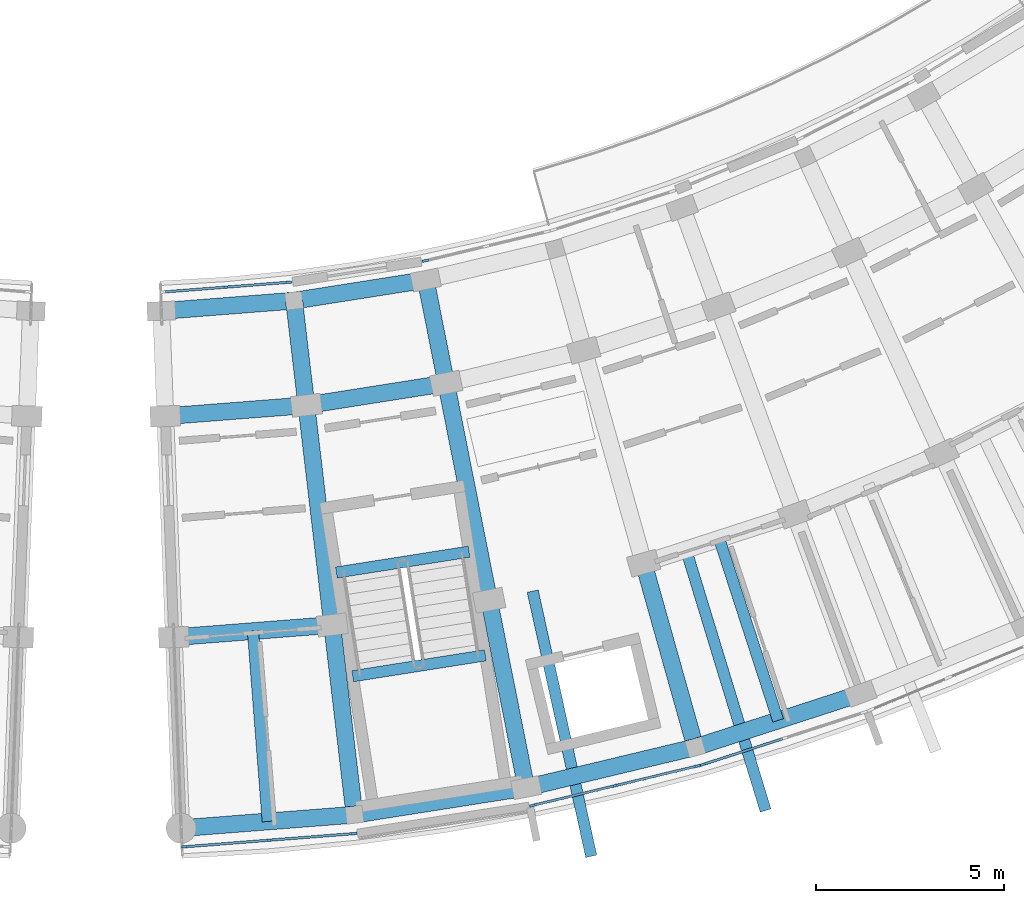
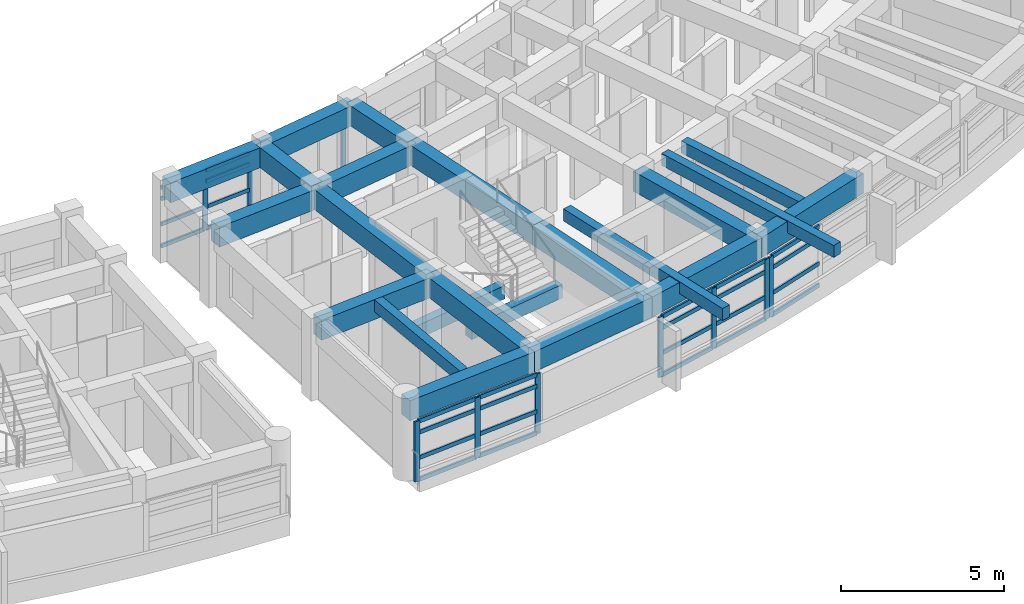
# One storey, part 16 of 56: 38 members, 22 beams, 5 elements without a shape of their own.
"""IFC4 building model written with IfcOpenShell, lengths in metres."""

from ifc_helpers import new_model, si_unit, direction, frame, origin, origin_2d, place, context, subcontext, project, spatial, rectangle, extrude, material, material_profile, profile_set, type_object, element, aggregate, save


model = new_model("IFC4")

# Units and contexts
model_context = context("Model", 3, precision=1e-05, world=origin(), true_north=direction((0.0, 1.0)))
body_context = subcontext(model_context, "Body", "Model", "MODEL_VIEW")
ifc_project = project(units=[si_unit("LENGTHUNIT", "METRE"), si_unit("AREAUNIT", "SQUARE_METRE"), si_unit("VOLUMEUNIT", "CUBIC_METRE"), si_unit("PLANEANGLEUNIT", "RADIAN"), si_unit("MASSUNIT", "GRAM", prefix="KILO")], contexts=[model_context])

# Site, building, storey
site_placement = place(None, origin())
site = spatial("IfcSite", under=ifc_project, at=site_placement, CompositionType="ELEMENT")
building_placement = place(site_placement, origin())
building = spatial("IfcBuilding", under=site, at=building_placement, Name="Zimvara Arc Housing Community", CompositionType="ELEMENT")
storey_placement = place(building_placement, frame((0.0, 0.0, 11.199951171875)))
storey = spatial("IfcBuildingStorey", under=building, at=storey_placement, Name="L03", CompositionType="ELEMENT", Elevation=11.199951171875)

# Beams
ifc_material_1 = material(Name="Concrete C40/50", Category="concrete")
ifc_material_profile_1 = material_profile(ifc_material_1, rectangle(XDim=0.300048828125, YDim=0.449951171875, at=origin_2d()), Name="RC 300x450")
ifc_profile_set_1 = profile_set([ifc_material_profile_1], Name="Concrete C40/50")
beam_type_1 = type_object("IfcBeamType", Name="BM-RC-300x450", PredefinedType="JOIST", material=ifc_profile_set_1)
beam_1_placement = place(storey_placement, frame((130.151123046875, 56.263427734375, 2.635009765625), z_axis=(0.077579175615, -0.996986194243, 0.0), x_axis=(0.996986194243, 0.077579175615, 0.0)))
element("IfcBeam", 1, at=beam_1_placement, inside=storey, type_object=beam_type_1, Name="bm:blkD:L03:joist:b0", PredefinedType="JOIST", context=body_context, shape_type="SweptSolid", body=[
    extrude(rectangle(XDim=0.300048828125, YDim=0.449951171875, at=origin_2d()), origin(), (0.0, 0.0, 1.0), 5.076171875),
])
beam_2_placement = place(storey_placement, frame((142.547607421875, 58.718017578125, 2.635009765625), z_axis=(0.308208278328, -0.951318904033, 0.0), x_axis=(0.951318904033, 0.308208278328, 0.0)))
element("IfcBeam", 2, at=beam_2_placement, inside=storey, type_object=beam_type_1, Name="bm:blkD:L03:joist:b3", PredefinedType="JOIST", context=body_context, shape_type="SweptSolid", body=[
    extrude(rectangle(XDim=0.300048828125, YDim=0.449951171875, at=origin_2d()), origin(), (0.0, 0.0, 1.0), 5.075927734375),
])
for number, where, z_axis, x_axis, name in (
    (3, (137.587890625, 57.3271484375, 2.6650390625), (0.215734466533, -0.97645206741, 0.0), (0.97645206741, 0.215734466533, 0.0), "bm:blkD:L03:cant_out:b2"),
    (4, (141.673583984375, 58.39990234375, 2.6650390625), (0.29171593415, -0.95650499934, 0.0), (0.95650499934, 0.29171593415, 0.0), "bm:blkD:L03:cant_out:b3"),
):
    element("IfcBeam", number, at=place(storey_placement, frame(where, z_axis=z_axis, x_axis=x_axis)), inside=storey, type_object=beam_type_1, Name=name, PredefinedType="JOIST", context=body_context, shape_type="SweptSolid", body=[
        extrude(rectangle(XDim=0.300048828125, YDim=0.449951171875, at=origin_2d()), origin(), (0.0, 0.0, 1.0), 7.219970703125),
    ])
ifc_material_2 = material(Name="Concrete C40/50", Category="concrete")
ifc_material_profile_2 = material_profile(ifc_material_2, rectangle(XDim=0.300048828125, YDim=0.5, at=origin_2d()), Name="RC 300x500")
ifc_profile_set_2 = profile_set([ifc_material_profile_2], Name="Concrete C40/50")
beam_type_2 = type_object("IfcBeamType", Name="BM-RC-300x500", PredefinedType="BEAM", material=ifc_profile_set_2)
for number, where, z_axis, x_axis, name in (
    (5, (132.36865234375, 57.8203125, -0.25), (0.987823881982, 0.155576277709, 0.0), (-0.155576277709, 0.987823881982, 0.0), "bm:stair_trim:ST-D1:L03:near"),
    (6, (132.802734375, 55.064208984375, 1.300048828125), (0.987823881982, 0.155576277709, 0.0), (-0.155576277709, 0.987823881982, 0.0), "bm:stair_trim:ST-D1:L03:mid"),
):
    element("IfcBeam", number, at=place(storey_placement, frame(where, z_axis=z_axis, x_axis=x_axis)), inside=storey, type_object=beam_type_2, Name=name, PredefinedType="BEAM", context=body_context, shape_type="SweptSolid", body=[
        extrude(rectangle(XDim=0.300048828125, YDim=0.5, at=origin_2d()), origin(), (0.0, 0.0, 1.0), 3.570068359375),
    ])
ifc_material_3 = material(Name="Concrete C40/50", Category="concrete")
ifc_material_profile_3 = material_profile(ifc_material_3, rectangle(XDim=0.449951171875, YDim=0.75, at=origin_2d()), Name="RC 450x750")
ifc_profile_set_3 = profile_set([ifc_material_profile_3], Name="Concrete C40/50")
beam_type_3 = type_object("IfcBeamType", Name="BM-RC-450x750", PredefinedType="BEAM", material=ifc_profile_set_3)
beam_3_placement = place(storey_placement, frame((127.712158203125, 64.773193359375, 2.485107421875), z_axis=(0.996984758472, 0.077597624804, 0.0), x_axis=(-0.077597624804, 0.996984758472, 0.0)))
element("IfcBeam", 7, at=beam_3_placement, inside=storey, type_object=beam_type_3, Name="bm:blkD:L03:chord:r0:b0", PredefinedType="BEAM", context=body_context, shape_type="SweptSolid", body=[
    extrude(rectangle(XDim=0.449951171875, YDim=0.75, at=origin_2d()), origin(), (0.0, 0.0, 1.0), 3.542724609375),
])
beam_4_placement = place(storey_placement, frame((131.244140625, 65.048095703125, 2.485107421875), z_axis=(0.98782044699, 0.155598086453, 0.0), x_axis=(-0.155598086453, 0.98782044699, 0.0)))
element("IfcBeam", 8, at=beam_4_placement, inside=storey, type_object=beam_type_3, Name="bm:blkD:L03:chord:r0:b1", PredefinedType="BEAM", context=body_context, shape_type="SweptSolid", body=[
    extrude(rectangle(XDim=0.449951171875, YDim=0.75, at=origin_2d()), origin(), (0.0, 0.0, 1.0), 3.54296875),
])
beam_5_placement = place(storey_placement, frame((127.819580078125, 61.975341796875, 2.485107421875), z_axis=(0.996984223393, 0.077604499263, 0.0), x_axis=(-0.077604499263, 0.996984223393, 0.0)))
element("IfcBeam", 9, at=beam_5_placement, inside=storey, type_object=beam_type_3, Name="bm:blkD:L03:chord:r1:b0", PredefinedType="BEAM", context=body_context, shape_type="SweptSolid", body=[
    extrude(rectangle(XDim=0.449951171875, YDim=0.75, at=origin_2d()), origin(), (0.0, 0.0, 1.0), 3.762451171875),
])
beam_6_placement = place(storey_placement, frame((131.57080078125, 62.267333984375, 2.485107421875), z_axis=(0.987830739488, 0.155532730068, 0.0), x_axis=(-0.155532730068, 0.987830739488, 0.0)))
element("IfcBeam", 10, at=beam_6_placement, inside=storey, type_object=beam_type_3, Name="bm:blkD:L03:chord:r1:b1", PredefinedType="BEAM", context=body_context, shape_type="SweptSolid", body=[
    extrude(rectangle(XDim=0.449951171875, YDim=0.75, at=origin_2d()), origin(), (0.0, 0.0, 1.0), 3.7626953125),
])
beam_7_placement = place(storey_placement, frame((128.045166015625, 56.099609375, 2.485107421875), z_axis=(0.996983350574, 0.077615711543, 0.0), x_axis=(-0.077615711543, 0.996983350574, 0.0)))
element("IfcBeam", 11, at=beam_7_placement, inside=storey, type_object=beam_type_3, Name="bm:blkD:L03:chord:r2:b0", PredefinedType="BEAM", context=body_context, shape_type="SweptSolid", body=[
    extrude(rectangle(XDim=0.449951171875, YDim=0.75, at=origin_2d()), origin(), (0.0, 0.0, 1.0), 4.224365234375),
])
for number, where, z_axis, x_axis, name in (
    (12, (128.240234375, 51.0234375, 2.485107421875), (0.996986694494, 0.077572746515, 0.0), (-0.077572746515, 0.996986694494, 0.0), "bm:blkD:L03:chord:r3:b0"),
    (13, (132.849609375, 51.382080078125, 2.485107421875), (0.987824544931, 0.155572068287, 0.0), (-0.155572068287, 0.987824544931, 0.0), "bm:blkD:L03:chord:r3:b1"),
):
    element("IfcBeam", number, at=place(storey_placement, frame(where, z_axis=z_axis, x_axis=x_axis)), inside=storey, type_object=beam_type_3, Name=name, PredefinedType="BEAM", context=body_context, shape_type="SweptSolid", body=[
        extrude(rectangle(XDim=0.449951171875, YDim=0.75, at=origin_2d()), origin(), (0.0, 0.0, 1.0), 4.623291015625),
    ])
beam_8_placement = place(storey_placement, frame((137.41650390625, 52.101318359375, 2.485107421875), z_axis=(0.972567724572, 0.232619906974, 0.0), x_axis=(-0.232619906974, 0.972567724572, 0.0)))
element("IfcBeam", 14, at=beam_8_placement, inside=storey, type_object=beam_type_3, Name="bm:blkD:L03:chord:r3:b2", PredefinedType="BEAM", context=body_context, shape_type="SweptSolid", body=[
    extrude(rectangle(XDim=0.449951171875, YDim=0.75, at=origin_2d()), origin(), (0.0, 0.0, 1.0), 4.623046875),
])
beam_9_placement = place(storey_placement, frame((141.912841796875, 53.1767578125, 2.485107421875), z_axis=(0.951331650007, 0.308168933695, 0.0), x_axis=(-0.308168933695, 0.951331650007, 0.0)))
element("IfcBeam", 15, at=beam_9_placement, inside=storey, type_object=beam_type_3, Name="bm:blkD:L03:chord:r3:b3", PredefinedType="BEAM", context=body_context, shape_type="SweptSolid", body=[
    extrude(rectangle(XDim=0.449951171875, YDim=0.75, at=origin_2d()), origin(), (0.0, 0.0, 1.0), 4.62353515625),
])
beam_10_placement = place(storey_placement, frame((131.244140625, 65.048095703125, 2.485107421875), z_axis=(0.116669233141, -0.993170826212, 0.0), x_axis=(0.993170826212, 0.116669233141, 0.0)))
element("IfcBeam", 16, at=beam_10_placement, inside=storey, type_object=beam_type_3, Name="bm:blkD:L03:rad:b1:r01", PredefinedType="BEAM", context=body_context, shape_type="SweptSolid", body=[
    extrude(rectangle(XDim=0.449951171875, YDim=0.75, at=origin_2d()), origin(), (0.0, 0.0, 1.0), 2.7998046875),
])
beam_11_placement = place(storey_placement, frame((131.57080078125, 62.267333984375, 2.485107421875), z_axis=(0.116672613124, -0.993170429154, 0.0), x_axis=(0.993170429154, 0.116672613124, 0.0)))
element("IfcBeam", 17, at=beam_11_placement, inside=storey, type_object=beam_type_3, Name="bm:blkD:L03:rad:b1:r12", PredefinedType="BEAM", context=body_context, shape_type="SweptSolid", body=[
    extrude(rectangle(XDim=0.449951171875, YDim=0.75, at=origin_2d()), origin(), (0.0, 0.0, 1.0), 5.8798828125),
])
beam_12_placement = place(storey_placement, frame((132.2568359375, 56.427490234375, 2.485107421875), z_axis=(0.116685098261, -0.993168962384, 0.0), x_axis=(0.993168962384, 0.116685098261, 0.0)))
element("IfcBeam", 18, at=beam_12_placement, inside=storey, type_object=beam_type_3, Name="bm:blkD:L03:rad:b1:r23", PredefinedType="BEAM", context=body_context, shape_type="SweptSolid", body=[
    extrude(rectangle(XDim=0.449951171875, YDim=0.75, at=origin_2d()), origin(), (0.0, 0.0, 1.0), 5.080078125),
])
beam_13_placement = place(storey_placement, frame((134.743896484375, 65.599365234375, 2.485107421875), z_axis=(0.194170755423, -0.980967745514, 0.0), x_axis=(0.980967745514, 0.194170755423, 0.0)))
element("IfcBeam", 19, at=beam_13_placement, inside=storey, type_object=beam_type_3, Name="bm:blkD:L03:rad:b2:r01", PredefinedType="BEAM", context=body_context, shape_type="SweptSolid", body=[
    extrude(rectangle(XDim=0.449951171875, YDim=0.75, at=origin_2d()), origin(), (0.0, 0.0, 1.0), 2.800048828125),
])
beam_14_placement = place(storey_placement, frame((135.28759765625, 62.8525390625, 2.485107421875), z_axis=(0.194239306935, -0.980954174078, 0.0), x_axis=(0.980954174078, 0.194239306935, 0.0)))
element("IfcBeam", 20, at=beam_14_placement, inside=storey, type_object=beam_type_3, Name="bm:blkD:L03:rad:b2:r12", PredefinedType="BEAM", context=body_context, shape_type="SweptSolid", body=[
    extrude(rectangle(XDim=0.449951171875, YDim=0.75, at=origin_2d()), origin(), (0.0, 0.0, 1.0), 5.8798828125),
])
beam_15_placement = place(storey_placement, frame((136.4296875, 57.084716796875, 2.485107421875), z_axis=(0.194248925774, -0.980952269397, 0.0), x_axis=(0.980952269397, 0.194248925774, 0.0)))
element("IfcBeam", 21, at=beam_15_placement, inside=storey, type_object=beam_type_3, Name="bm:blkD:L03:rad:b2:r23", PredefinedType="BEAM", context=body_context, shape_type="SweptSolid", body=[
    extrude(rectangle(XDim=0.449951171875, YDim=0.75, at=origin_2d()), origin(), (0.0, 0.0, 1.0), 5.080078125),
])
beam_16_placement = place(storey_placement, frame((140.538330078125, 58.067138671875, 2.485107421875), z_axis=(0.270579949442, -0.962697507507, 0.0), x_axis=(0.962697507507, 0.270579949442, 0.0)))
element("IfcBeam", 22, at=beam_16_placement, inside=storey, type_object=beam_type_3, Name="bm:blkD:L03:rad:b3:r23", PredefinedType="BEAM", context=body_context, shape_type="SweptSolid", body=[
    extrude(rectangle(XDim=0.449951171875, YDim=0.75, at=origin_2d()), origin(), (0.0, 0.0, 1.0), 5.079833984375),
])

# Curtain wall, members
ifc_material_4 = material(Name="Anodised Aluminium AW-6063", Category="aluminium")
curtain_wall_type_1 = type_object("IfcCurtainWallType", Name="CW-SYS-04", PredefinedType="USERDEFINED", material=ifc_material_4)
curtain_wall_1_placement = place(storey_placement, origin())
curtain_wall_1 = element("IfcCurtainWall", 23, at=curtain_wall_1_placement, inside=storey, type_object=curtain_wall_type_1, Name="cw:blkD:L03:in:b0", ObjectType="CURTAIN WALL", PredefinedType="USERDEFINED")
ifc_material_5 = material(Name="Anodised Aluminium AW-6063", Category="aluminium")
ifc_material_profile_4 = material_profile(ifc_material_5, rectangle(XDim=0.06494140625, YDim=0.179931640625, at=origin_2d()), Name="ALU 65x180")
ifc_profile_set_4 = profile_set([ifc_material_profile_4], Name="Anodised Aluminium AW-6063")
member_type_1 = type_object("IfcMemberType", Name="CWM-65x150", PredefinedType="MULLION", material=ifc_profile_set_4)
member_1_placement = place(storey_placement, frame((129.439453125, 65.40869140625, 0.0), z_axis=(0.0, 0.0, 1.0), x_axis=(-0.077590099579, 0.996985344149, 0.0)))
member_1 = element("IfcMember", 24, at=member_1_placement, type_object=member_type_1, Name="CW04 mullion 2", PredefinedType="MULLION", context=body_context, shape_type="SweptSolid", body=[
    extrude(rectangle(XDim=0.06494140625, YDim=0.179931640625, at=origin_2d()), origin(), (0.0, 0.0, 1.0), 2.25),
])
member_2_placement = place(storey_placement, frame((131.09375, 65.53759765625, 0.0), z_axis=(0.0, 0.0, 1.0), x_axis=(-0.077590099579, 0.996985344149, 0.0)))
member_2 = element("IfcMember", 25, at=member_2_placement, type_object=member_type_1, Name="CW04 mullion 3", PredefinedType="MULLION", context=body_context, shape_type="SweptSolid", body=[
    extrude(rectangle(XDim=0.06494140625, YDim=0.179931640625, at=origin_2d()), origin(), (0.0, 0.0, 1.0), 2.25),
])

# Curtain wall, member
ifc_material_6 = material(Name="Anodised Aluminium AW-6063", Category="aluminium")
curtain_wall_type_2 = type_object("IfcCurtainWallType", Name="CW-SYS-06", PredefinedType="USERDEFINED", material=ifc_material_6)
curtain_wall_2_placement = place(storey_placement, origin())
curtain_wall_2 = element("IfcCurtainWall", 26, at=curtain_wall_2_placement, inside=storey, type_object=curtain_wall_type_2, Name="cw:blkD:L03:in:b2", ObjectType="CURTAIN WALL", PredefinedType="USERDEFINED")
member_3_placement = place(storey_placement, frame((134.73681640625, 66.111328125, 0.0), z_axis=(0.0, 0.0, 1.0), x_axis=(-0.232596003485, 0.972573441526, 0.0)))
member_3 = element("IfcMember", 27, at=member_3_placement, type_object=member_type_1, Name="CW06 mullion 1", PredefinedType="MULLION", context=body_context, shape_type="SweptSolid", body=[
    extrude(rectangle(XDim=0.06494140625, YDim=0.179931640625, at=origin_2d()), origin(), (0.0, 0.0, 1.0), 2.25),
])
aggregate(curtain_wall_2, [member_3])

# Curtain wall, members
ifc_material_7 = material(Name="Anodised Aluminium AW-6063", Category="aluminium")
curtain_wall_type_3 = type_object("IfcCurtainWallType", Name="CW-SYS-03", PredefinedType="USERDEFINED", material=ifc_material_7)
curtain_wall_3_placement = place(storey_placement, origin())
curtain_wall_3 = element("IfcCurtainWall", 28, at=curtain_wall_3_placement, inside=storey, type_object=curtain_wall_type_3, Name="cw:blkD:L03:out:b0", ObjectType="CURTAIN WALL", PredefinedType="USERDEFINED")
ifc_material_8 = material(Name="Anodised Aluminium AW-6063", Category="aluminium")
ifc_material_profile_5 = material_profile(ifc_material_8, rectangle(XDim=0.06494140625, YDim=0.195068359375, at=origin_2d()), Name="ALU 65x195")
ifc_profile_set_5 = profile_set([ifc_material_profile_5], Name="Anodised Aluminium AW-6063")
member_type_2 = type_object("IfcMemberType", Name="CWM-65x180", PredefinedType="MULLION", material=ifc_profile_set_5)
member_4_placement = place(storey_placement, frame((128.351806640625, 50.531005859375, 0.0), z_axis=(0.0, 0.0, 1.0), x_axis=(-0.077589538059, 0.996985387849, 0.0)))
member_4 = element("IfcMember", 29, at=member_4_placement, type_object=member_type_2, Name="CW03 mullion 1", PredefinedType="MULLION", context=body_context, shape_type="SweptSolid", body=[
    extrude(rectangle(XDim=0.06494140625, YDim=0.195068359375, at=origin_2d()), origin(), (0.0, 0.0, 1.0), 2.25),
])
member_5_placement = place(storey_placement, frame((130.583740234375, 50.70458984375, 0.0), z_axis=(0.0, 0.0, 1.0), x_axis=(-0.077589538059, 0.996985387849, 0.0)))
member_5 = element("IfcMember", 30, at=member_5_placement, type_object=member_type_2, Name="CW03 mullion 2", PredefinedType="MULLION", context=body_context, shape_type="SweptSolid", body=[
    extrude(rectangle(XDim=0.06494140625, YDim=0.195068359375, at=origin_2d()), origin(), (0.0, 0.0, 1.0), 2.25),
])
member_6_placement = place(storey_placement, frame((132.815673828125, 50.87841796875, 0.0), z_axis=(0.0, 0.0, 1.0), x_axis=(-0.077589538059, 0.996985387849, 0.0)))
member_6 = element("IfcMember", 31, at=member_6_placement, type_object=member_type_2, Name="CW03 mullion 3", PredefinedType="MULLION", context=body_context, shape_type="SweptSolid", body=[
    extrude(rectangle(XDim=0.06494140625, YDim=0.195068359375, at=origin_2d()), origin(), (0.0, 0.0, 1.0), 2.25),
])

ifc_material_9 = material(Name="Anodised Aluminium AW-6063", Category="aluminium")
curtain_wall_type_4 = type_object("IfcCurtainWallType", Name="CW-SYS-05", PredefinedType="USERDEFINED", material=ifc_material_9)
curtain_wall_4_placement = place(storey_placement, origin())
curtain_wall_4 = element("IfcCurtainWall", 32, at=curtain_wall_4_placement, inside=storey, type_object=curtain_wall_type_4, Name="cw:blkD:L03:out:b2", ObjectType="CURTAIN WALL", PredefinedType="USERDEFINED")
member_7_placement = place(storey_placement, frame((137.603515625, 51.63232421875, 0.0), z_axis=(0.0, 0.0, 1.0), x_axis=(-0.232596798101, 0.97257325149, 0.0)))
member_7 = element("IfcMember", 33, at=member_7_placement, type_object=member_type_2, Name="CW05 mullion 1", PredefinedType="MULLION", context=body_context, shape_type="SweptSolid", body=[
    extrude(rectangle(XDim=0.06494140625, YDim=0.195068359375, at=origin_2d()), origin(), (0.0, 0.0, 1.0), 2.25),
])
member_8_placement = place(storey_placement, frame((139.781005859375, 52.153076171875, 0.0), z_axis=(0.0, 0.0, 1.0), x_axis=(-0.232596798101, 0.97257325149, 0.0)))
member_8 = element("IfcMember", 34, at=member_8_placement, type_object=member_type_2, Name="CW05 mullion 2", PredefinedType="MULLION", context=body_context, shape_type="SweptSolid", body=[
    extrude(rectangle(XDim=0.06494140625, YDim=0.195068359375, at=origin_2d()), origin(), (0.0, 0.0, 1.0), 2.25),
])
member_9_placement = place(storey_placement, frame((141.958251953125, 52.673828125, 0.0), z_axis=(0.0, 0.0, 1.0), x_axis=(-0.232596798101, 0.97257325149, 0.0)))
member_9 = element("IfcMember", 35, at=member_9_placement, type_object=member_type_2, Name="CW05 mullion 3", PredefinedType="MULLION", context=body_context, shape_type="SweptSolid", body=[
    extrude(rectangle(XDim=0.06494140625, YDim=0.195068359375, at=origin_2d()), origin(), (0.0, 0.0, 1.0), 2.25),
])

# Curtain wall, member
ifc_material_10 = material(Name="Anodised Aluminium AW-6063", Category="aluminium")
curtain_wall_type_5 = type_object("IfcCurtainWallType", Name="CW-SYS-07", PredefinedType="USERDEFINED", material=ifc_material_10)
curtain_wall_5_placement = place(storey_placement, origin())
curtain_wall_5 = element("IfcCurtainWall", 36, at=curtain_wall_5_placement, inside=storey, type_object=curtain_wall_type_5, Name="cw:blkD:L03:out:b3", ObjectType="CURTAIN WALL", PredefinedType="USERDEFINED")
member_10_placement = place(storey_placement, frame((142.13623046875, 52.723876953125, 0.0), z_axis=(0.0, 0.0, 1.0), x_axis=(-0.308184952203, 0.951326460914, 0.0)))
member_10 = element("IfcMember", 37, at=member_10_placement, type_object=member_type_2, Name="CW07 mullion 1", PredefinedType="MULLION", context=body_context, shape_type="SweptSolid", body=[
    extrude(rectangle(XDim=0.06494140625, YDim=0.195068359375, at=origin_2d()), origin(), (0.0, 0.0, 1.0), 2.25),
])

# Member
ifc_material_11 = material(Name="Anodised Aluminium AW-6063", Category="aluminium")
ifc_material_profile_6 = material_profile(ifc_material_11, rectangle(XDim=0.06494140625, YDim=0.139892578125, at=origin_2d()), Name="ALU 65x140")
ifc_profile_set_6 = profile_set([ifc_material_profile_6], Name="Anodised Aluminium AW-6063")
member_type_3 = type_object("IfcMemberType", Name="CWT-65x120", PredefinedType="USERDEFINED", material=ifc_profile_set_6)
member_11_placement = place(storey_placement, frame((127.8173828125, 65.282470703125, 0.032470703125), z_axis=(0.996981987707, 0.077633215753, 0.0), x_axis=(-0.077633215753, 0.996981987707, 0.0)))
member_11 = element("IfcMember", 38, at=member_11_placement, type_object=member_type_3, Name="CW04 transom 1.1", ObjectType="TRANSOM", PredefinedType="USERDEFINED", context=body_context, shape_type="SweptSolid", body=[
    extrude(rectangle(XDim=0.06494140625, YDim=0.139892578125, at=origin_2d()), origin(), (0.0, 0.0, 1.0), 1.594482421875),
])

member_12_placement = place(storey_placement, frame((127.8173828125, 65.282470703125, 0.85009765625), z_axis=(0.996981987707, 0.077633215753, 0.0), x_axis=(-0.077633215753, 0.996981987707, 0.0)))
member_12 = element("IfcMember", 39, at=member_12_placement, type_object=member_type_3, Name="CW04 transom 1.2", ObjectType="TRANSOM", PredefinedType="USERDEFINED", context=body_context, shape_type="SweptSolid", body=[
    extrude(rectangle(XDim=0.06494140625, YDim=0.139892578125, at=origin_2d()), origin(), (0.0, 0.0, 1.0), 1.594482421875),
])

member_13_placement = place(storey_placement, frame((127.8173828125, 65.282470703125, 1.800048828125), z_axis=(0.996981987707, 0.077633215753, 0.0), x_axis=(-0.077633215753, 0.996981987707, 0.0)))
member_13 = element("IfcMember", 40, at=member_13_placement, type_object=member_type_3, Name="CW04 transom 1.3", ObjectType="TRANSOM", PredefinedType="USERDEFINED", context=body_context, shape_type="SweptSolid", body=[
    extrude(rectangle(XDim=0.06494140625, YDim=0.139892578125, at=origin_2d()), origin(), (0.0, 0.0, 1.0), 1.594482421875),
])

member_14_placement = place(storey_placement, frame((127.8173828125, 65.282470703125, 2.217529296875), z_axis=(0.996981987707, 0.077633215753, 0.0), x_axis=(-0.077633215753, 0.996981987707, 0.0)))
member_14 = element("IfcMember", 41, at=member_14_placement, type_object=member_type_3, Name="CW04 transom 1.4", ObjectType="TRANSOM", PredefinedType="USERDEFINED", context=body_context, shape_type="SweptSolid", body=[
    extrude(rectangle(XDim=0.06494140625, YDim=0.139892578125, at=origin_2d()), origin(), (0.0, 0.0, 1.0), 1.594482421875),
])

member_15_placement = place(storey_placement, frame((129.4716796875, 65.411376953125, 0.032470703125), z_axis=(0.996993827762, 0.077481013185, 0.0), x_axis=(-0.077481013185, 0.996993827762, 0.0)))
member_15 = element("IfcMember", 42, at=member_15_placement, type_object=member_type_3, Name="CW04 transom 2.1", ObjectType="TRANSOM", PredefinedType="USERDEFINED", context=body_context, shape_type="SweptSolid", body=[
    extrude(rectangle(XDim=0.06494140625, YDim=0.139892578125, at=origin_2d()), origin(), (0.0, 0.0, 1.0), 1.594482421875),
])

member_16_placement = place(storey_placement, frame((129.4716796875, 65.411376953125, 0.85009765625), z_axis=(0.996993827762, 0.077481013185, 0.0), x_axis=(-0.077481013185, 0.996993827762, 0.0)))
member_16 = element("IfcMember", 43, at=member_16_placement, type_object=member_type_3, Name="CW04 transom 2.2", ObjectType="TRANSOM", PredefinedType="USERDEFINED", context=body_context, shape_type="SweptSolid", body=[
    extrude(rectangle(XDim=0.06494140625, YDim=0.139892578125, at=origin_2d()), origin(), (0.0, 0.0, 1.0), 1.594482421875),
])

member_17_placement = place(storey_placement, frame((129.4716796875, 65.411376953125, 1.800048828125), z_axis=(0.996993827762, 0.077481013185, 0.0), x_axis=(-0.077481013185, 0.996993827762, 0.0)))
member_17 = element("IfcMember", 44, at=member_17_placement, type_object=member_type_3, Name="CW04 transom 2.3", ObjectType="TRANSOM", PredefinedType="USERDEFINED", context=body_context, shape_type="SweptSolid", body=[
    extrude(rectangle(XDim=0.06494140625, YDim=0.139892578125, at=origin_2d()), origin(), (0.0, 0.0, 1.0), 1.594482421875),
])

member_18_placement = place(storey_placement, frame((129.4716796875, 65.411376953125, 2.217529296875), z_axis=(0.996993827762, 0.077481013185, 0.0), x_axis=(-0.077481013185, 0.996993827762, 0.0)))
member_18 = element("IfcMember", 45, at=member_18_placement, type_object=member_type_3, Name="CW04 transom 2.4", ObjectType="TRANSOM", PredefinedType="USERDEFINED", context=body_context, shape_type="SweptSolid", body=[
    extrude(rectangle(XDim=0.06494140625, YDim=0.139892578125, at=origin_2d()), origin(), (0.0, 0.0, 1.0), 1.594482421875),
])

aggregate(curtain_wall_1, [member_1, member_2, member_11, member_12, member_13, member_14, member_15, member_16, member_17, member_18])

ifc_material_12 = material(Name="Anodised Aluminium AW-6063", Category="aluminium")
ifc_material_profile_7 = material_profile(ifc_material_12, rectangle(XDim=0.06494140625, YDim=0.155029296875, at=origin_2d()), Name="ALU 65x155")
ifc_profile_set_7 = profile_set([ifc_material_profile_7], Name="Anodised Aluminium AW-6063")
member_type_4 = type_object("IfcMemberType", Name="CWT-65x140", PredefinedType="USERDEFINED", material=ifc_profile_set_7)
member_19_placement = place(storey_placement, frame((128.384033203125, 50.533447265625, 0.032470703125), z_axis=(0.99698404072, 0.077606846022, 0.0), x_axis=(-0.077606846022, 0.99698404072, 0.0)))
member_19 = element("IfcMember", 46, at=member_19_placement, type_object=member_type_4, Name="CW03 transom 1.1", ObjectType="TRANSOM", PredefinedType="USERDEFINED", context=body_context, shape_type="SweptSolid", body=[
    extrude(rectangle(XDim=0.06494140625, YDim=0.155029296875, at=origin_2d()), origin(), (0.0, 0.0, 1.0), 2.173828125),
])

member_20_placement = place(storey_placement, frame((128.384033203125, 50.533447265625, 0.85009765625), z_axis=(0.99698404072, 0.077606846022, 0.0), x_axis=(-0.077606846022, 0.99698404072, 0.0)))
member_20 = element("IfcMember", 47, at=member_20_placement, type_object=member_type_4, Name="CW03 transom 1.2", ObjectType="TRANSOM", PredefinedType="USERDEFINED", context=body_context, shape_type="SweptSolid", body=[
    extrude(rectangle(XDim=0.06494140625, YDim=0.155029296875, at=origin_2d()), origin(), (0.0, 0.0, 1.0), 2.173828125),
])

member_21_placement = place(storey_placement, frame((128.384033203125, 50.533447265625, 1.800048828125), z_axis=(0.99698404072, 0.077606846022, 0.0), x_axis=(-0.077606846022, 0.99698404072, 0.0)))
member_21 = element("IfcMember", 48, at=member_21_placement, type_object=member_type_4, Name="CW03 transom 1.3", ObjectType="TRANSOM", PredefinedType="USERDEFINED", context=body_context, shape_type="SweptSolid", body=[
    extrude(rectangle(XDim=0.06494140625, YDim=0.155029296875, at=origin_2d()), origin(), (0.0, 0.0, 1.0), 2.173828125),
])

member_22_placement = place(storey_placement, frame((128.384033203125, 50.533447265625, 2.217529296875), z_axis=(0.99698404072, 0.077606846022, 0.0), x_axis=(-0.077606846022, 0.99698404072, 0.0)))
member_22 = element("IfcMember", 49, at=member_22_placement, type_object=member_type_4, Name="CW03 transom 1.4", ObjectType="TRANSOM", PredefinedType="USERDEFINED", context=body_context, shape_type="SweptSolid", body=[
    extrude(rectangle(XDim=0.06494140625, YDim=0.155029296875, at=origin_2d()), origin(), (0.0, 0.0, 1.0), 2.173828125),
])

member_23_placement = place(storey_placement, frame((130.6162109375, 50.707275390625, 0.032470703125), z_axis=(0.996992049751, 0.0775038885, 0.0), x_axis=(-0.0775038885, 0.996992049751, 0.0)))
member_23 = element("IfcMember", 50, at=member_23_placement, type_object=member_type_4, Name="CW03 transom 2.1", ObjectType="TRANSOM", PredefinedType="USERDEFINED", context=body_context, shape_type="SweptSolid", body=[
    extrude(rectangle(XDim=0.06494140625, YDim=0.155029296875, at=origin_2d()), origin(), (0.0, 0.0, 1.0), 2.173583984375),
])

member_24_placement = place(storey_placement, frame((130.6162109375, 50.707275390625, 0.85009765625), z_axis=(0.996992049751, 0.0775038885, 0.0), x_axis=(-0.0775038885, 0.996992049751, 0.0)))
member_24 = element("IfcMember", 51, at=member_24_placement, type_object=member_type_4, Name="CW03 transom 2.2", ObjectType="TRANSOM", PredefinedType="USERDEFINED", context=body_context, shape_type="SweptSolid", body=[
    extrude(rectangle(XDim=0.06494140625, YDim=0.155029296875, at=origin_2d()), origin(), (0.0, 0.0, 1.0), 2.173583984375),
])

member_25_placement = place(storey_placement, frame((130.6162109375, 50.707275390625, 1.800048828125), z_axis=(0.996992049751, 0.0775038885, 0.0), x_axis=(-0.0775038885, 0.996992049751, 0.0)))
member_25 = element("IfcMember", 52, at=member_25_placement, type_object=member_type_4, Name="CW03 transom 2.3", ObjectType="TRANSOM", PredefinedType="USERDEFINED", context=body_context, shape_type="SweptSolid", body=[
    extrude(rectangle(XDim=0.06494140625, YDim=0.155029296875, at=origin_2d()), origin(), (0.0, 0.0, 1.0), 2.173583984375),
])

member_26_placement = place(storey_placement, frame((130.6162109375, 50.707275390625, 2.217529296875), z_axis=(0.996992049751, 0.0775038885, 0.0), x_axis=(-0.0775038885, 0.996992049751, 0.0)))
member_26 = element("IfcMember", 53, at=member_26_placement, type_object=member_type_4, Name="CW03 transom 2.4", ObjectType="TRANSOM", PredefinedType="USERDEFINED", context=body_context, shape_type="SweptSolid", body=[
    extrude(rectangle(XDim=0.06494140625, YDim=0.155029296875, at=origin_2d()), origin(), (0.0, 0.0, 1.0), 2.173583984375),
])

aggregate(curtain_wall_3, [member_4, member_5, member_6, member_19, member_20, member_21, member_22, member_23, member_24, member_25, member_26])

member_27_placement = place(storey_placement, frame((137.63525390625, 51.639892578125, 0.032470703125), z_axis=(0.972569501663, 0.232612476954, 0.0), x_axis=(-0.232612476954, 0.972569501663, 0.0)))
member_27 = element("IfcMember", 54, at=member_27_placement, type_object=member_type_4, Name="CW05 transom 1.1", ObjectType="TRANSOM", PredefinedType="USERDEFINED", context=body_context, shape_type="SweptSolid", body=[
    extrude(rectangle(XDim=0.06494140625, YDim=0.155029296875, at=origin_2d()), origin(), (0.0, 0.0, 1.0), 2.173583984375),
])

member_28_placement = place(storey_placement, frame((137.63525390625, 51.639892578125, 0.85009765625), z_axis=(0.972569501663, 0.232612476954, 0.0), x_axis=(-0.232612476954, 0.972569501663, 0.0)))
member_28 = element("IfcMember", 55, at=member_28_placement, type_object=member_type_4, Name="CW05 transom 1.2", ObjectType="TRANSOM", PredefinedType="USERDEFINED", context=body_context, shape_type="SweptSolid", body=[
    extrude(rectangle(XDim=0.06494140625, YDim=0.155029296875, at=origin_2d()), origin(), (0.0, 0.0, 1.0), 2.173583984375),
])

member_29_placement = place(storey_placement, frame((137.63525390625, 51.639892578125, 1.800048828125), z_axis=(0.972569501663, 0.232612476954, 0.0), x_axis=(-0.232612476954, 0.972569501663, 0.0)))
member_29 = element("IfcMember", 56, at=member_29_placement, type_object=member_type_4, Name="CW05 transom 1.3", ObjectType="TRANSOM", PredefinedType="USERDEFINED", context=body_context, shape_type="SweptSolid", body=[
    extrude(rectangle(XDim=0.06494140625, YDim=0.155029296875, at=origin_2d()), origin(), (0.0, 0.0, 1.0), 2.173583984375),
])

member_30_placement = place(storey_placement, frame((137.63525390625, 51.639892578125, 2.217529296875), z_axis=(0.972569501663, 0.232612476954, 0.0), x_axis=(-0.232612476954, 0.972569501663, 0.0)))
member_30 = element("IfcMember", 57, at=member_30_placement, type_object=member_type_4, Name="CW05 transom 1.4", ObjectType="TRANSOM", PredefinedType="USERDEFINED", context=body_context, shape_type="SweptSolid", body=[
    extrude(rectangle(XDim=0.06494140625, YDim=0.155029296875, at=origin_2d()), origin(), (0.0, 0.0, 1.0), 2.173583984375),
])

member_31_placement = place(storey_placement, frame((139.8125, 52.16064453125, 0.032470703125), z_axis=(0.972575578083, 0.232587069539, 0.0), x_axis=(-0.232587069539, 0.972575578083, 0.0)))
member_31 = element("IfcMember", 58, at=member_31_placement, type_object=member_type_4, Name="CW05 transom 2.1", ObjectType="TRANSOM", PredefinedType="USERDEFINED", context=body_context, shape_type="SweptSolid", body=[
    extrude(rectangle(XDim=0.06494140625, YDim=0.155029296875, at=origin_2d()), origin(), (0.0, 0.0, 1.0), 2.173828125),
])

member_32_placement = place(storey_placement, frame((139.8125, 52.16064453125, 0.85009765625), z_axis=(0.972575578083, 0.232587069539, 0.0), x_axis=(-0.232587069539, 0.972575578083, 0.0)))
member_32 = element("IfcMember", 59, at=member_32_placement, type_object=member_type_4, Name="CW05 transom 2.2", ObjectType="TRANSOM", PredefinedType="USERDEFINED", context=body_context, shape_type="SweptSolid", body=[
    extrude(rectangle(XDim=0.06494140625, YDim=0.155029296875, at=origin_2d()), origin(), (0.0, 0.0, 1.0), 2.173828125),
])

member_33_placement = place(storey_placement, frame((139.8125, 52.16064453125, 1.800048828125), z_axis=(0.972575578083, 0.232587069539, 0.0), x_axis=(-0.232587069539, 0.972575578083, 0.0)))
member_33 = element("IfcMember", 60, at=member_33_placement, type_object=member_type_4, Name="CW05 transom 2.3", ObjectType="TRANSOM", PredefinedType="USERDEFINED", context=body_context, shape_type="SweptSolid", body=[
    extrude(rectangle(XDim=0.06494140625, YDim=0.155029296875, at=origin_2d()), origin(), (0.0, 0.0, 1.0), 2.173828125),
])

member_34_placement = place(storey_placement, frame((139.8125, 52.16064453125, 2.217529296875), z_axis=(0.972575578083, 0.232587069539, 0.0), x_axis=(-0.232587069539, 0.972575578083, 0.0)))
member_34 = element("IfcMember", 61, at=member_34_placement, type_object=member_type_4, Name="CW05 transom 2.4", ObjectType="TRANSOM", PredefinedType="USERDEFINED", context=body_context, shape_type="SweptSolid", body=[
    extrude(rectangle(XDim=0.06494140625, YDim=0.155029296875, at=origin_2d()), origin(), (0.0, 0.0, 1.0), 2.173828125),
])

aggregate(curtain_wall_4, [member_7, member_8, member_9, member_27, member_28, member_29, member_30, member_31, member_32, member_33, member_34])

member_35_placement = place(storey_placement, frame((142.167236328125, 52.73388671875, 0.032470703125), z_axis=(0.951322540295, 0.308197054377, 0.0), x_axis=(-0.308197054377, 0.951322540295, 0.0)))
member_35 = element("IfcMember", 62, at=member_35_placement, type_object=member_type_4, Name="CW07 transom 1.1", ObjectType="TRANSOM", PredefinedType="USERDEFINED", context=body_context, shape_type="SweptSolid", body=[
    extrude(rectangle(XDim=0.06494140625, YDim=0.155029296875, at=origin_2d()), origin(), (0.0, 0.0, 1.0), 2.173583984375),
])

member_36_placement = place(storey_placement, frame((142.167236328125, 52.73388671875, 0.85009765625), z_axis=(0.951322540295, 0.308197054377, 0.0), x_axis=(-0.308197054377, 0.951322540295, 0.0)))
member_36 = element("IfcMember", 63, at=member_36_placement, type_object=member_type_4, Name="CW07 transom 1.2", ObjectType="TRANSOM", PredefinedType="USERDEFINED", context=body_context, shape_type="SweptSolid", body=[
    extrude(rectangle(XDim=0.06494140625, YDim=0.155029296875, at=origin_2d()), origin(), (0.0, 0.0, 1.0), 2.173583984375),
])

member_37_placement = place(storey_placement, frame((142.167236328125, 52.73388671875, 1.800048828125), z_axis=(0.951322540295, 0.308197054377, 0.0), x_axis=(-0.308197054377, 0.951322540295, 0.0)))
member_37 = element("IfcMember", 64, at=member_37_placement, type_object=member_type_4, Name="CW07 transom 1.3", ObjectType="TRANSOM", PredefinedType="USERDEFINED", context=body_context, shape_type="SweptSolid", body=[
    extrude(rectangle(XDim=0.06494140625, YDim=0.155029296875, at=origin_2d()), origin(), (0.0, 0.0, 1.0), 2.173583984375),
])

member_38_placement = place(storey_placement, frame((142.167236328125, 52.73388671875, 2.217529296875), z_axis=(0.951322540295, 0.308197054377, 0.0), x_axis=(-0.308197054377, 0.951322540295, 0.0)))
member_38 = element("IfcMember", 65, at=member_38_placement, type_object=member_type_4, Name="CW07 transom 1.4", ObjectType="TRANSOM", PredefinedType="USERDEFINED", context=body_context, shape_type="SweptSolid", body=[
    extrude(rectangle(XDim=0.06494140625, YDim=0.155029296875, at=origin_2d()), origin(), (0.0, 0.0, 1.0), 2.173583984375),
])

aggregate(curtain_wall_5, [member_10, member_35, member_36, member_37, member_38])

save(model, "model.ifc")
